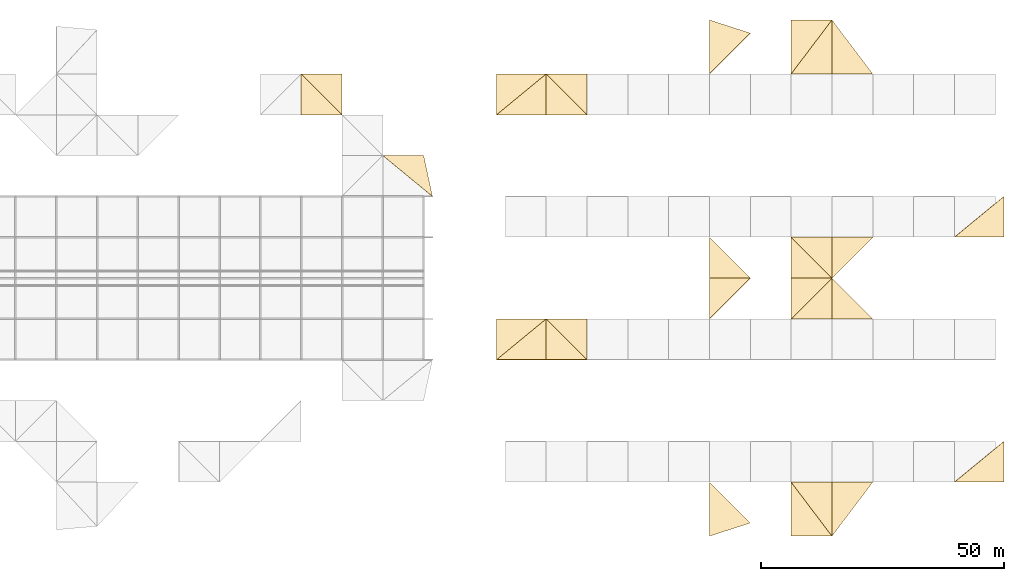
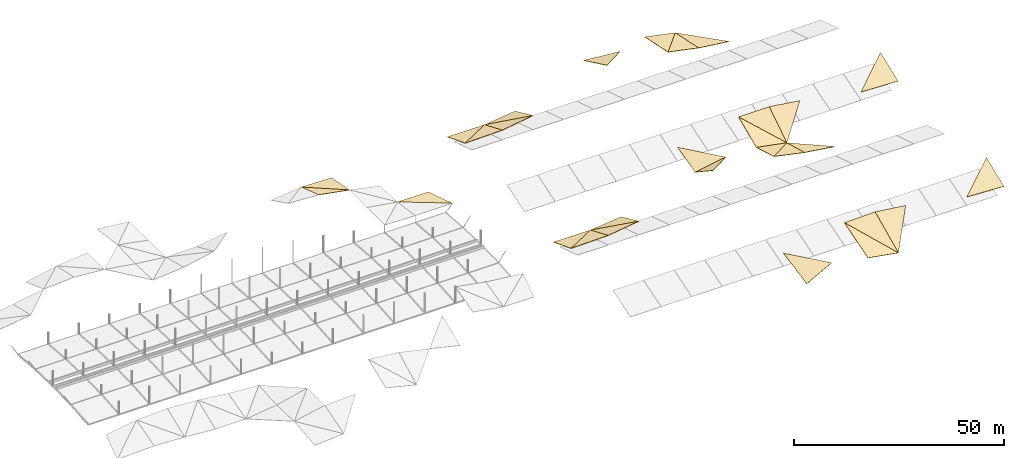
# One storey, part 37 of 37: 29 coverings.
"""IFC4 building model written with IfcOpenShell, lengths in metres."""

from ifc_helpers import new_model, si_unit, direction, frame, origin, place, context, subcontext, project, spatial, polyline, outline, extrude, material, layer, layer_set, type_object, element, save


model = new_model("IFC4")

# Units and contexts
model_context = context("Model", 3, precision=1e-05, world=origin(), true_north=direction((0.0, 1.0)))
body_context = subcontext(model_context, "Body", "Model", "MODEL_VIEW")
ifc_project = project(units=[si_unit("LENGTHUNIT", "METRE"), si_unit("AREAUNIT", "SQUARE_METRE"), si_unit("VOLUMEUNIT", "CUBIC_METRE"), si_unit("PLANEANGLEUNIT", "RADIAN"), si_unit("MASSUNIT", "GRAM", prefix="KILO")], contexts=[model_context])

# Site, building, storey
site_placement = place(None, origin())
site = spatial("IfcSite", under=ifc_project, at=site_placement, CompositionType="ELEMENT")
building_placement = place(site_placement, origin())
building = spatial("IfcBuilding", under=site, at=building_placement, Name="Rain Tree Exposition and Congress Centre", CompositionType="ELEMENT")
storey_placement = place(building_placement, frame((0.0, 0.0, 25.0)))
storey = spatial("IfcBuildingStorey", under=building, at=storey_placement, Name="ROOF VAULT LOW", CompositionType="ELEMENT", Elevation=25.0)

# Coverings
ifc_material = material(Name="Aluminium composite cladding", Category="aluminium")
ifc_layer = layer(ifc_material, 0.10009765625)
ifc_layer_set = layer_set([ifc_layer], Name="Aluminium composite cladding")
covering_type = type_object("IfcCoveringType", Name="Triangular aluminium roof skin facet 100", PredefinedType="CLADDING", material=ifc_layer_set)
covering_1_placement = place(storey_placement, frame((127.800048828125, 168.0, 2.51611328125), z_axis=(0.002043631048, 0.138742827851, 0.990326335756), x_axis=(-0.207610094806, 0.968809564885, -0.1352999465)))
element("IfcCovering", 1, at=covering_1_placement, inside=storey, type_object=covering_type, Name="Roof skin facet A252", PredefinedType="CLADDING", context=body_context, shape_type="SweptSolid", body=[
    extrude(outline(polyline([(0.0, 0.0), (8.670333828455584, -4.0245584642661925e-16), (10.411893063243776, 8.217398084751341), (0.0, 0.0)])), origin(), (0.0, 0.0, -1.0), 0.10009765625),
])
covering_2_placement = place(storey_placement, frame((100.800048828125, 184.800048828125, 4.2177734375), z_axis=(0.169396908001, 0.315838540626, 0.933568799722), x_axis=(0.983933449263, 0.0, -0.178535619478)))
element("IfcCovering", 2, at=covering_2_placement, inside=storey, type_object=covering_type, Name="Roof skin facet A303", PredefinedType="CLADDING", context=body_context, shape_type="SweptSolid", body=[
    extrude(outline(polyline([(0.0, 0.0), (8.53706350774581, -1.1102230246251565e-16), (0.5073619655076292, 8.853064593645115), (0.0, 0.0)])), origin(), (0.0, 0.0, -1.0), 0.10009765625),
])
covering_3_placement = place(storey_placement, frame((109.199951171875, 184.800048828125, 2.693603515625), z_axis=(0.025722318159, 0.17997048605, 0.98333564285), x_axis=(0.0, 0.983661110308, -0.180030053235)))
element("IfcCovering", 3, at=covering_3_placement, inside=storey, type_object=covering_type, Name="Roof skin facet A304", PredefinedType="CLADDING", context=body_context, shape_type="SweptSolid", body=[
    extrude(outline(polyline([(0.0, 0.0), (8.53942710119018, -6.938893903907228e-18), (8.499869716446126, 8.402682569282087), (0.0, 0.0)])), origin(), (0.0, 0.0, -1.0), 0.10009765625),
])
covering_4_placement = place(storey_placement, frame((184.800048828125, 98.10009765625, 1.526611328125), z_axis=(-0.119586356589, -0.190750802353, 0.974327067631), x_axis=(0.937496368595, 0.301336172188, 0.174060536028)))
element("IfcCovering", 4, at=covering_4_placement, inside=storey, type_object=covering_type, Name="Roof skin facet B11", PredefinedType="CLADDING", context=body_context, shape_type="SweptSolid", body=[
    extrude(outline(polyline([(0.0, 0.0), (8.959930539612309, -5.828670879282072e-16), (3.7230375731697385, 10.680266112416835), (0.0, 0.0)])), origin(), (0.0, 0.0, -1.0), 0.10009765625),
])
covering_5_placement = place(storey_placement, frame((201.60009765625, 98.10009765625, 3.157470703125), z_axis=(0.16448706486, -0.296646479247, 0.940715085371), x_axis=(0.985055007367, 0.0, -0.172240043141)))
element("IfcCovering", 5, at=covering_5_placement, inside=storey, type_object=covering_type, Name="Roof skin facet B15", PredefinedType="CLADDING", context=body_context, shape_type="SweptSolid", body=[
    extrude(outline(polyline([(0.0, 0.0), (8.527343428468022, -1.1102230246251565e-16), (-0.6028822017863272, 11.623037045586736), (0.0, 0.0)])), origin(), (0.0, 0.0, -1.0), 0.10009765625),
])
covering_6_placement = place(storey_placement, frame((210.0, 98.10009765625, 1.688720703125), z_axis=(-0.023690299261, -0.42335556137, 0.905653818177), x_axis=(0.0, 0.905908065372, 0.423474411379)))
element("IfcCovering", 6, at=covering_6_placement, inside=storey, type_object=covering_type, Name="Roof skin facet B16", PredefinedType="CLADDING", context=body_context, shape_type="SweptSolid", body=[
    extrude(outline(polyline([(0.0, 0.0), (12.252737269825493, 1.3877787807814457e-17), (12.1596886931064, 8.402260476156126), (0.0, 0.0)])), origin(), (0.0, 0.0, -1.0), 0.10009765625),
])
covering_7_placement = place(storey_placement, frame((210.0, 98.10009765625, 1.688720703125), z_axis=(0.11580458473, -0.420625282398, 0.89981313058), x_axis=(0.578769780908, 0.764801723216, 0.283026261808)))
element("IfcCovering", 7, at=covering_7_placement, inside=storey, type_object=covering_type, Name="Roof skin facet B18", PredefinedType="CLADDING", context=body_context, shape_type="SweptSolid", body=[
    extrude(outline(polyline([(0.0, 0.0), (14.513374092497926, 2.220446049250313e-16), (9.957731320371101, 7.139548834112077), (0.0, 0.0)])), origin(), (0.0, 0.0, -1.0), 0.10009765625),
])
covering_8_placement = place(storey_placement, frame((235.199951171875, 109.199951171875, 2.384033203125), z_axis=(0.044734079482, -0.361719006163, 0.931213306774), x_axis=(0.99884814504, 0.0, -0.047983154865)))
element("IfcCovering", 8, at=covering_8_placement, inside=storey, type_object=covering_type, Name="Roof skin facet B47", PredefinedType="CLADDING", context=body_context, shape_type="SweptSolid", body=[
    extrude(outline(polyline([(0.0, 0.0), (10.211713584820965, 2.7755575615628914e-17), (10.055147455727345, 9.010256482528007), (0.0, 0.0)])), origin(), (0.0, 0.0, -1.0), 0.10009765625),
])
covering_9_placement = place(storey_placement, frame((141.0, 134.39990234375, 5.156982421875), z_axis=(-0.017526465269, 0.389039514632, 0.92105433014), x_axis=(0.999819003466, 0.0, 0.0190252545)))
element("IfcCovering", 9, at=covering_9_placement, inside=storey, type_object=covering_type, Name="Roof skin facet B97", PredefinedType="CLADDING", context=body_context, shape_type="SweptSolid", body=[
    extrude(outline(polyline([(0.0, 0.0), (10.201797661895101, 0.0), (10.134294238152812, 9.118491507112061), (0.0, 0.0)])), origin(), (0.0, 0.0, -1.0), 0.10009765625),
])
covering_10_placement = place(storey_placement, frame((141.0, 134.39990234375, 5.156982421875), z_axis=(0.008321850368, 0.3620689372, 0.932114173007), x_axis=(0.748196835579, 0.61617579458, -0.246026188448)))
element("IfcCovering", 10, at=covering_10_placement, inside=storey, type_object=covering_type, Name="Roof skin facet B98", PredefinedType="CLADDING", context=body_context, shape_type="SweptSolid", body=[
    extrude(outline(polyline([(0.0, 0.0), (13.632710921556729, -2.220446049250313e-16), (5.9787354913918245, 6.742696549429545), (0.0, 0.0)])), origin(), (0.0, 0.0, -1.0), 0.10009765625),
])
covering_11_placement = place(storey_placement, frame((151.199951171875, 134.39990234375, 5.35107421875), z_axis=(-0.128613722982, 0.385867720085, 0.913545079817), x_axis=(0.990234676689, 0.0, 0.139410491292)))
element("IfcCovering", 11, at=covering_11_placement, inside=storey, type_object=covering_type, Name="Roof skin facet B99", PredefinedType="CLADDING", context=body_context, shape_type="SweptSolid", body=[
    extrude(outline(polyline([(0.0, 0.0), (8.482985581216562, 0.0), (-0.49464176512354285, 9.105315678310513), (0.0, 0.0)])), origin(), (0.0, 0.0, -1.0), 0.10009765625),
])
covering_12_placement = place(storey_placement, frame((159.60009765625, 134.39990234375, 6.53369140625), z_axis=(-0.101084695167, 0.409530043687, 0.906679120594), x_axis=(0.0, 0.911347201487, -0.411638528739)))
element("IfcCovering", 12, at=covering_12_placement, inside=storey, type_object=covering_type, Name="Roof skin facet B100", PredefinedType="CLADDING", context=body_context, shape_type="SweptSolid", body=[
    extrude(outline(polyline([(0.0, 0.0), (9.217284554854682, 0.0), (9.602793684796357, 8.443395041017334), (0.0, 0.0)])), origin(), (0.0, 0.0, -1.0), 0.10009765625),
])
covering_13_placement = place(storey_placement, frame((184.800048828125, 142.800048828125, 7.325439453125), z_axis=(-0.139981962515, 0.545201757211, 0.826534992668), x_axis=(0.668099699356, 0.668099699356, -0.327544780816)))
element("IfcCovering", 13, at=covering_13_placement, inside=storey, type_object=covering_type, Name="Roof skin facet B132", PredefinedType="CLADDING", context=body_context, shape_type="SweptSolid", body=[
    extrude(outline(polyline([(0.0, 0.0), (12.57282760618072, -8.881784197001252e-16), (7.426823011882509, 6.789757578645374), (0.0, 0.0)])), origin(), (0.0, 0.0, -1.0), 0.10009765625),
])
covering_14_placement = place(storey_placement, frame((201.60009765625, 142.800048828125, 5.53466796875), z_axis=(0.201173976098, 0.256728985613, 0.945314370613), x_axis=(0.97809681727, 0.0, -0.20815046492)))
element("IfcCovering", 14, at=covering_14_placement, inside=storey, type_object=covering_type, Name="Roof skin facet B135", PredefinedType="CLADDING", context=body_context, shape_type="SweptSolid", body=[
    extrude(outline(polyline([(0.0, 0.0), (8.58800703103853, 5.551115123125783e-17), (9.062850279138104, 8.691201576121163), (0.0, 0.0)])), origin(), (0.0, 0.0, -1.0), 0.10009765625),
])
covering_15_placement = place(storey_placement, frame((201.60009765625, 142.800048828125, 5.53466796875), z_axis=(0.181122045065, 0.276100009321, 0.943908676538), x_axis=(0.668954559594, 0.668954559594, -0.324036409062)))
element("IfcCovering", 15, at=covering_15_placement, inside=storey, type_object=covering_type, Name="Roof skin facet B136", PredefinedType="CLADDING", context=body_context, shape_type="SweptSolid", body=[
    extrude(outline(polyline([(0.0, 0.0), (12.556760729537084, -9.43689570931383e-16), (6.415320556195868, 5.953068461664459), (0.0, 0.0)])), origin(), (0.0, 0.0, -1.0), 0.10009765625),
])
covering_16_placement = place(storey_placement, frame((210.0, 142.800048828125, 3.7470703125), z_axis=(0.135695080957, 0.259663083445, 0.95611815593), x_axis=(0.990078572166, 0.0, -0.140514842408)))
element("IfcCovering", 16, at=covering_16_placement, inside=storey, type_object=covering_type, Name="Roof skin facet B137", PredefinedType="CLADDING", context=body_context, shape_type="SweptSolid", body=[
    extrude(outline(polyline([(0.0, 0.0), (8.484076496444185, -5.551115123125783e-17), (0.32054948424317703, 8.698258962297466), (0.0, 0.0)])), origin(), (0.0, 0.0, -1.0), 0.10009765625),
])
covering_17_placement = place(storey_placement, frame((184.800048828125, 151.199951171875, 1.78466796875), z_axis=(-0.162079470081, -0.240539303162, 0.957011540689), x_axis=(0.985959916008, 0.0, 0.16698216679)))
element("IfcCovering", 17, at=covering_17_placement, inside=storey, type_object=covering_type, Name="Roof skin facet B155", PredefinedType="CLADDING", context=body_context, shape_type="SweptSolid", body=[
    extrude(outline(polyline([(0.0, 0.0), (8.519517079113733, 0.0), (0.3525541451172119, 8.654240173760744), (0.0, 0.0)])), origin(), (0.0, 0.0, -1.0), 0.10009765625),
])
covering_18_placement = place(storey_placement, frame((201.60009765625, 151.199951171875, 3.07763671875), z_axis=(0.172648514769, -0.400803828773, 0.899749287962), x_axis=(0.982083324177, 0.0, -0.188447192531)))
element("IfcCovering", 18, at=covering_18_placement, inside=storey, type_object=covering_type, Name="Roof skin facet B159", PredefinedType="CLADDING", context=body_context, shape_type="SweptSolid", body=[
    extrude(outline(polyline([(0.0, 0.0), (8.553146293148119, -1.1102230246251565e-16), (-0.7051587206839345, 9.168825019726993), (0.0, 0.0)])), origin(), (0.0, 0.0, -1.0), 0.10009765625),
])
covering_19_placement = place(storey_placement, frame((210.0, 151.199951171875, 1.4658203125), z_axis=(-0.00625323907, -0.541890924974, 0.840425560315), x_axis=(0.0, 0.840441992377, 0.541901520065)))
element("IfcCovering", 19, at=covering_19_placement, inside=storey, type_object=covering_type, Name="Roof skin facet B160", PredefinedType="CLADDING", context=body_context, shape_type="SweptSolid", body=[
    extrude(outline(polyline([(0.0, 0.0), (9.99491524764897, 3.469446951953614e-18), (9.961046402644888, 8.400066579252503), (0.0, 0.0)])), origin(), (0.0, 0.0, -1.0), 0.10009765625),
])
covering_20_placement = place(storey_placement, frame((210.0, 151.199951171875, 1.4658203125), z_axis=(0.120518253737, -0.537951660204, 0.834316104243), x_axis=(0.666606374364, 0.666625749076, 0.333535683737)))
element("IfcCovering", 20, at=covering_20_placement, inside=storey, type_object=covering_type, Name="Roof skin facet B162", PredefinedType="CLADDING", context=body_context, shape_type="SweptSolid", body=[
    extrude(outline(polyline([(0.0, 0.0), (12.600993129971748, 0.0), (7.4062698467255785, 6.711594278945157), (0.0, 0.0)])), origin(), (0.0, 0.0, -1.0), 0.10009765625),
])
covering_21_placement = place(storey_placement, frame((235.199951171875, 159.60009765625, 2.277099609375), z_axis=(0.034984966189, -0.361868961238, 0.93157227687), x_axis=(0.999295565329, 0.0, -0.037528297518)))
element("IfcCovering", 21, at=covering_21_placement, inside=storey, type_object=covering_type, Name="Roof skin facet B191", PredefinedType="CLADDING", context=body_context, shape_type="SweptSolid", body=[
    extrude(outline(polyline([(0.0, 0.0), (10.207141436198535, 0.0), (10.084688873618749, 9.010557065421319), (0.0, 0.0)])), origin(), (0.0, 0.0, -1.0), 0.10009765625),
])
covering_22_placement = place(storey_placement, frame((141.0, 184.800048828125, 5.156982421875), z_axis=(-0.017548969507, 0.386226606033, 0.922236977388), x_axis=(0.999819003466, 0.0, 0.0190252545)))
element("IfcCovering", 22, at=covering_22_placement, inside=storey, type_object=covering_type, Name="Roof skin facet B241", PredefinedType="CLADDING", context=body_context, shape_type="SweptSolid", body=[
    extrude(outline(polyline([(0.0, 0.0), (10.201797661895101, 0.0), (10.13487019800584, 9.106533566162325), (0.0, 0.0)])), origin(), (0.0, 0.0, -1.0), 0.10009765625),
])
covering_23_placement = place(storey_placement, frame((141.0, 184.800048828125, 5.156982421875), z_axis=(0.005555422582, 0.362085031509, 0.932128514335), x_axis=(0.748612360577, 0.616500080855, -0.243940943462)))
element("IfcCovering", 23, at=covering_23_placement, inside=storey, type_object=covering_type, Name="Roof skin facet B242", PredefinedType="CLADDING", context=body_context, shape_type="SweptSolid", body=[
    extrude(outline(polyline([(0.0, 0.0), (13.625143945003593, -7.771561172376096e-16), (5.9745050027472075, 6.746141358691279), (0.0, 0.0)])), origin(), (0.0, 0.0, -1.0), 0.10009765625),
])
covering_24_placement = place(storey_placement, frame((151.199951171875, 184.800048828125, 5.35107421875), z_axis=(-0.142073488546, 0.382367649585, 0.913022510349), x_axis=(0.988108616536, 0.0, 0.153757477633)))
element("IfcCovering", 24, at=covering_24_placement, inside=storey, type_object=covering_type, Name="Roof skin facet B243", PredefinedType="CLADDING", context=body_context, shape_type="SweptSolid", body=[
    extrude(outline(polyline([(0.0, 0.0), (8.501237964938518, 5.551115123125783e-17), (-0.5408914783250112, 9.090702353819488), (0.0, 0.0)])), origin(), (0.0, 0.0, -1.0), 0.10009765625),
])
covering_25_placement = place(storey_placement, frame((159.60009765625, 184.800048828125, 6.658203125), z_axis=(-0.112414372594, 0.408010989074, 0.906029823808), x_axis=(0.0, 0.911809404684, -0.410613698662)))
element("IfcCovering", 25, at=covering_25_placement, inside=storey, type_object=covering_type, Name="Roof skin facet B244", PredefinedType="CLADDING", context=body_context, shape_type="SweptSolid", body=[
    extrude(outline(polyline([(0.0, 0.0), (9.212344488438507, 0.0), (9.640301002010242, 8.453731172985849), (0.0, 0.0)])), origin(), (0.0, 0.0, -1.0), 0.10009765625),
])
covering_26_placement = place(storey_placement, frame((184.800048828125, 193.199951171875, 7.329833984375), z_axis=(0.001997365583, 0.430927842325, 0.902384178296), x_axis=(0.669613751233, 0.669633213355, -0.321261239075)))
element("IfcCovering", 26, at=covering_26_placement, inside=storey, type_object=covering_type, Name="Roof skin facet B276", PredefinedType="CLADDING", context=body_context, shape_type="SweptSolid", body=[
    extrude(outline(polyline([(0.0, 0.0), (12.544399406793662, 8.881784197001252e-16), (9.13592961454391, 8.236822197713014), (0.0, 0.0)])), origin(), (0.0, 0.0, -1.0), 0.10009765625),
])
covering_27_placement = place(storey_placement, frame((201.60009765625, 193.199951171875, 5.29736328125), z_axis=(0.198497526862, 0.201329524456, 0.959200268146), x_axis=(0.979251850926, 0.0, -0.202647014433)))
element("IfcCovering", 27, at=covering_27_placement, inside=storey, type_object=covering_type, Name="Roof skin facet B279", PredefinedType="CLADDING", context=body_context, shape_type="SweptSolid", body=[
    extrude(outline(polyline([(0.0, 0.0), (8.5778774232696, 0.0), (9.050011324328327, 11.33213942521475), (0.0, 0.0)])), origin(), (0.0, 0.0, -1.0), 0.10009765625),
])
covering_28_placement = place(storey_placement, frame((201.60009765625, 193.199951171875, 5.29736328125), z_axis=(0.198690883784, 0.201180027201, 0.959191602005), x_axis=(0.579207075746, 0.765396410681, -0.28051291935)))
element("IfcCovering", 28, at=covering_28_placement, inside=storey, type_object=covering_type, Name="Roof skin facet B280", PredefinedType="CLADDING", context=body_context, shape_type="SweptSolid", body=[
    extrude(outline(polyline([(0.0, 0.0), (14.502416658025568, -8.326672684688674e-16), (9.149044044662018, 6.702785022865214), (0.0, 0.0)])), origin(), (0.0, 0.0, -1.0), 0.10009765625),
])
covering_29_placement = place(storey_placement, frame((210.0, 193.199951171875, 3.55908203125), z_axis=(0.122381657241, 0.203872941662, 0.971317946724), x_axis=(0.992155842369, 0.0, -0.125007137612)))
element("IfcCovering", 29, at=covering_29_placement, inside=storey, type_object=covering_type, Name="Roof skin facet B281", PredefinedType="CLADDING", context=body_context, shape_type="SweptSolid", body=[
    extrude(outline(polyline([(0.0, 0.0), (8.466313440937618, -2.7755575615628914e-17), (0.2912458774971606, 11.338230470927831), (0.0, 0.0)])), origin(), (0.0, 0.0, -1.0), 0.10009765625),
])

save(model, "model.ifc")
